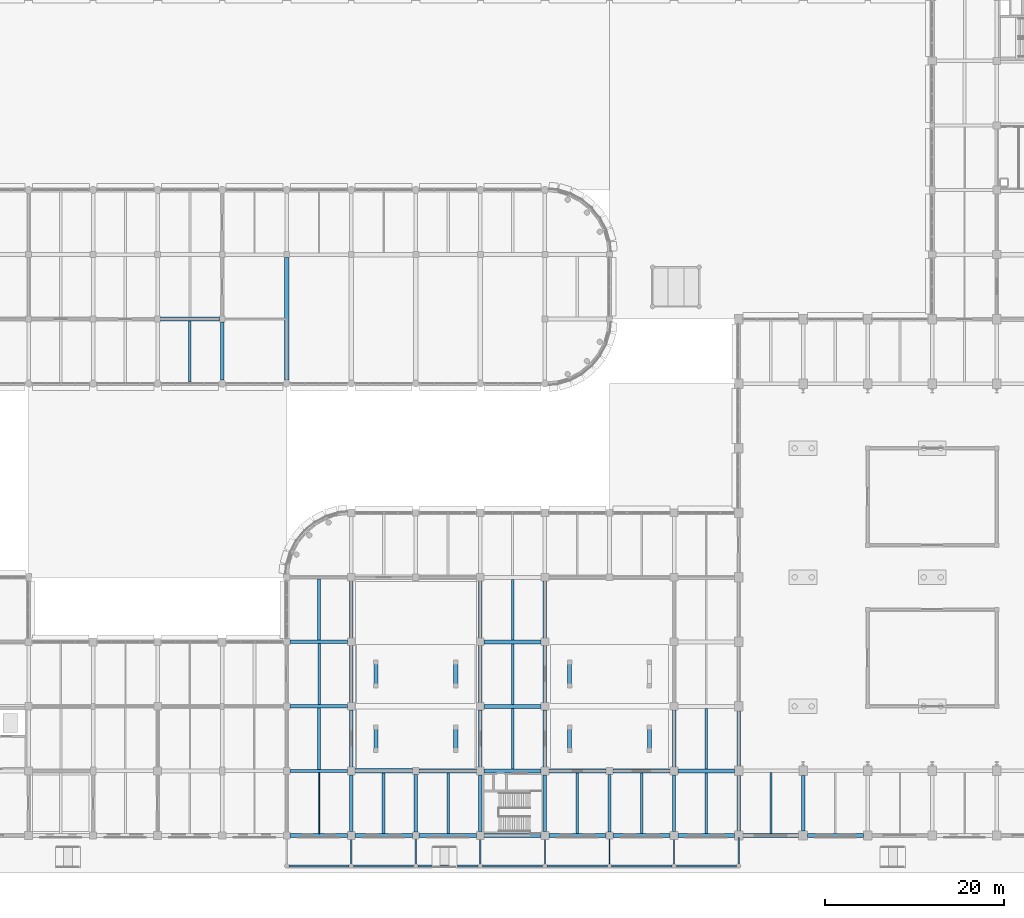
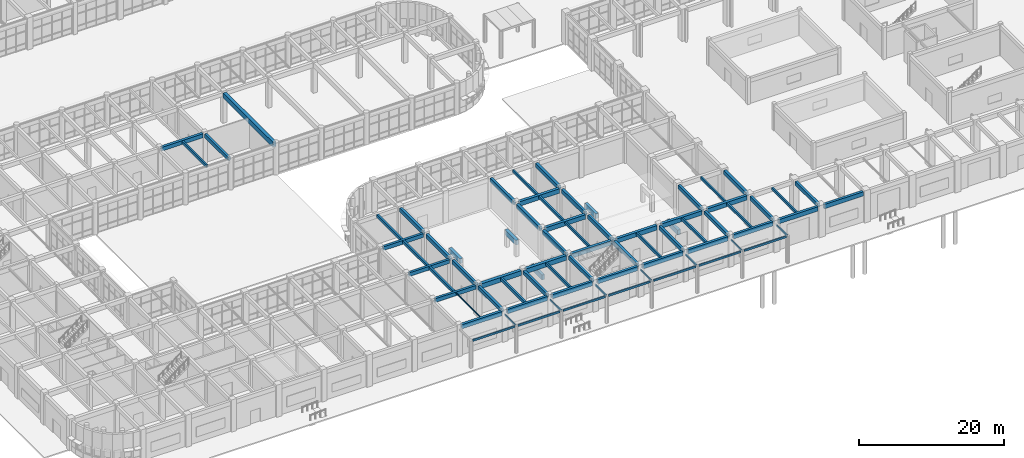
# One storey, part 28 of 160: 78 beams.
"""IFC4 building model written with IfcOpenShell, lengths in metres."""

from ifc_helpers import new_model, si_unit, direction, frame, origin, origin_2d, place, context, subcontext, project, spatial, rectangle, hollow_rectangle, i_section, extrude, material, material_profile, profile_set, type_object, element, save


model = new_model("IFC4")

# Units and contexts
model_context = context("Model", 3, precision=1e-05, world=origin(), true_north=direction((0.0, 1.0)))
body_context = subcontext(model_context, "Body", "Model", "MODEL_VIEW")
ifc_project = project(units=[si_unit("LENGTHUNIT", "METRE"), si_unit("AREAUNIT", "SQUARE_METRE"), si_unit("VOLUMEUNIT", "CUBIC_METRE"), si_unit("PLANEANGLEUNIT", "RADIAN"), si_unit("MASSUNIT", "GRAM", prefix="KILO")], contexts=[model_context])

# Site, building, storey
site_placement = place(None, origin())
site = spatial("IfcSite", under=ifc_project, at=site_placement, CompositionType="ELEMENT")
building_placement = place(site_placement, origin())
building = spatial("IfcBuilding", under=site, at=building_placement, Name="Thalmaran Polytechnic", CompositionType="ELEMENT")
storey_placement = place(building_placement, origin())
storey = spatial("IfcBuildingStorey", under=building, at=storey_placement, Name="L00", CompositionType="ELEMENT", Elevation=0.0)

# Beams
ifc_material_1 = material(Name="Steel S355", Category="steel")
ifc_material_profile_1 = material_profile(ifc_material_1, hollow_rectangle(XDim=0.199951171875, YDim=0.300048828125, WallThickness=0.012451171875, at=origin_2d()), Name="RHS 300x200x12.5")
ifc_profile_set_1 = profile_set([ifc_material_profile_1], Name="Steel S355")
beam_type_1 = type_object("IfcBeamType", Name="BM-CN01", PredefinedType="BEAM", material=ifc_profile_set_1)
for number, where, z_axis, x_axis, name in (
    (1, (57.85009765625, -3.39990234375, 4.449951171875), (1.0, 0.0, 0.0), (0.0, 1.0, 0.0), "South Arcade Edge Beam S0"),
    (2, (65.050048828125, -3.39990234375, 4.449951171875), (1.0, 0.0, 0.0), (0.0, 1.0, 0.0), "South Arcade Edge Beam S1"),
    (3, (72.25, -3.39990234375, 4.449951171875), (1.0, 0.0, 0.0), (0.0, 1.0, 0.0), "South Arcade Edge Beam S2"),
    (4, (79.449951171875, -3.39990234375, 4.449951171875), (1.0, 0.0, 0.0), (0.0, 1.0, 0.0), "South Arcade Edge Beam S3"),
):
    element("IfcBeam", number, at=place(storey_placement, frame(where, z_axis=z_axis, x_axis=x_axis)), inside=storey, type_object=beam_type_1, Name=name, PredefinedType="BEAM", context=body_context, shape_type="SweptSolid", body=[
        extrude(hollow_rectangle(XDim=0.199951171875, YDim=0.300048828125, WallThickness=0.012451171875, at=origin_2d()), origin(), (0.0, 0.0, 1.0), 6.699951171875),
    ])
beam_1_placement = place(storey_placement, frame((86.64990234375, -3.39990234375, 4.449951171875), z_axis=(1.0, 0.0, 0.0), x_axis=(0.0, 1.0, 0.0)))
element("IfcBeam", 5, at=beam_1_placement, inside=storey, type_object=beam_type_1, Name="South Arcade Edge Beam S4", PredefinedType="BEAM", context=body_context, shape_type="SweptSolid", body=[
    extrude(hollow_rectangle(XDim=0.199951171875, YDim=0.300048828125, WallThickness=0.012451171875, at=origin_2d()), origin(), (0.0, 0.0, 1.0), 6.7001953125),
])
for number, where, z_axis, x_axis, name in (
    (6, (93.85009765625, -3.39990234375, 4.449951171875), (1.0, 0.0, 0.0), (0.0, 1.0, 0.0), "South Arcade Edge Beam S5"),
    (7, (101.050048828125, -3.39990234375, 4.449951171875), (1.0, 0.0, 0.0), (0.0, 1.0, 0.0), "South Arcade Edge Beam S6"),
):
    element("IfcBeam", number, at=place(storey_placement, frame(where, z_axis=z_axis, x_axis=x_axis)), inside=storey, type_object=beam_type_1, Name=name, PredefinedType="BEAM", context=body_context, shape_type="SweptSolid", body=[
        extrude(hollow_rectangle(XDim=0.199951171875, YDim=0.300048828125, WallThickness=0.012451171875, at=origin_2d()), origin(), (0.0, 0.0, 1.0), 6.699951171875),
    ])
ifc_material_profile_2 = material_profile(ifc_material_1, hollow_rectangle(XDim=0.14990234375, YDim=0.25, WallThickness=0.010009765625, at=origin_2d()), Name="RHS 250x150x10.0")
ifc_profile_set_2 = profile_set([ifc_material_profile_2], Name="Steel S355")
beam_type_2 = type_object("IfcBeamType", Name="BM-CN02", PredefinedType="BEAM", material=ifc_profile_set_2)
for number, where, z_axis, x_axis, name in (
    (8, (64.800048828125, -3.39990234375, 4.47509765625), (0.0, 1.0, 0.0), (-1.0, 0.0, 0.0), "South Arcade Tie Beam S1"),
    (9, (72.0, -3.39990234375, 4.47509765625), (0.0, 1.0, 0.0), (-1.0, 0.0, 0.0), "South Arcade Tie Beam S2"),
    (10, (79.199951171875, -3.39990234375, 4.47509765625), (0.0, 1.0, 0.0), (-1.0, 0.0, 0.0), "South Arcade Tie Beam S3"),
    (11, (86.39990234375, -3.39990234375, 4.47509765625), (0.0, 1.0, 0.0), (-1.0, 0.0, 0.0), "South Arcade Tie Beam S4"),
    (12, (93.60009765625, -3.39990234375, 4.47509765625), (0.0, 1.0, 0.0), (-1.0, 0.0, 0.0), "South Arcade Tie Beam S5"),
    (13, (100.800048828125, -3.39990234375, 4.47509765625), (0.0, 1.0, 0.0), (-1.0, 0.0, 0.0), "South Arcade Tie Beam S6"),
    (14, (108.0, -3.39990234375, 4.47509765625), (0.0, 1.0, 0.0), (-1.0, 0.0, 0.0), "South Arcade Tie Beam S7"),
):
    element("IfcBeam", number, at=place(storey_placement, frame(where, z_axis=z_axis, x_axis=x_axis)), inside=storey, type_object=beam_type_2, Name=name, PredefinedType="BEAM", context=body_context, shape_type="SweptSolid", body=[
        extrude(hollow_rectangle(XDim=0.14990234375, YDim=0.25, WallThickness=0.010009765625, at=origin_2d()), origin(), (0.0, 0.0, 1.0), 3.199951171875),
    ])
ifc_material_2 = material(Name="Concrete C40/50", Category="concrete")
ifc_material_profile_3 = material_profile(ifc_material_2, rectangle(XDim=0.5, YDim=0.85009765625, at=origin_2d()), Name="RC 500x850")
ifc_profile_set_3 = profile_set([ifc_material_profile_3], Name="Concrete C40/50")
beam_type_3 = type_object("IfcBeamType", Name="BM-RC01", PredefinedType="BEAM", material=ifc_profile_set_3)
beam_2_placement = place(storey_placement, frame((57.60009765625, 50.800048828125, 4.6650390625), z_axis=(0.0, 1.0, 0.0), x_axis=(-1.0, 0.0, 0.0)))
element("IfcBeam", 15, at=beam_2_placement, inside=storey, type_object=beam_type_3, Name="Refectory Clear-Span Girder G08", PredefinedType="BEAM", context=body_context, shape_type="SweptSolid", body=[
    extrude(rectangle(XDim=0.5, YDim=0.85009765625, at=origin_2d()), origin(), (0.0, 0.0, 1.0), 13.675048828125),
])
ifc_material_profile_4 = material_profile(ifc_material_2, rectangle(XDim=0.5, YDim=0.800048828125, at=origin_2d()), Name="RC 500x800")
ifc_profile_set_4 = profile_set([ifc_material_profile_4], Name="Concrete C40/50")
beam_type_4 = type_object("IfcBeamType", Name="BM-RC02", PredefinedType="BEAM", material=ifc_profile_set_4)
beam_3_placement = place(storey_placement, frame((65.22509765625, 7.199951171875, 4.68994140625), z_axis=(1.0, 0.0, 0.0), x_axis=(0.0, 1.0, 0.0)))
element("IfcBeam", 16, at=beam_3_placement, inside=storey, type_object=beam_type_4, Name="Grid Beam B02 L00 X(9,1)", PredefinedType="BEAM", context=body_context, shape_type="SweptSolid", body=[
    extrude(rectangle(XDim=0.5, YDim=0.800048828125, at=origin_2d()), origin(), (0.0, 0.0, 1.0), 6.39990234375),
])
ifc_material_profile_5 = material_profile(ifc_material_2, rectangle(XDim=0.449951171875, YDim=0.75, at=origin_2d()), Name="RC 450x750")
ifc_profile_set_5 = profile_set([ifc_material_profile_5], Name="Concrete C40/50")
beam_type_5 = type_object("IfcBeamType", Name="BM-RC03", PredefinedType="BEAM", material=ifc_profile_set_5)
for number, where, z_axis, x_axis, name in (
    (17, (79.625, 7.199951171875, 4.715087890625), (1.0, 0.0, 0.0), (0.0, 1.0, 0.0), "Grid Beam B03 L00 X(11,1)"),
    (18, (79.625, 14.39990234375, 4.715087890625), (1.0, 0.0, 0.0), (0.0, 1.0, 0.0), "Grid Beam B03 L00 X(11,2)"),
    (19, (79.625, 21.60009765625, 4.715087890625), (1.0, 0.0, 0.0), (0.0, 1.0, 0.0), "Grid Beam B03 L00 X(11,3)"),
):
    element("IfcBeam", number, at=place(storey_placement, frame(where, z_axis=z_axis, x_axis=x_axis)), inside=storey, type_object=beam_type_5, Name=name, PredefinedType="BEAM", context=body_context, shape_type="SweptSolid", body=[
        extrude(rectangle(XDim=0.449951171875, YDim=0.75, at=origin_2d()), origin(), (0.0, 0.0, 1.0), 6.35009765625),
    ])
ifc_material_profile_6 = material_profile(ifc_material_2, rectangle(XDim=0.449951171875, YDim=0.72509765625, at=origin_2d()), Name="RC 450x725")
ifc_profile_set_6 = profile_set([ifc_material_profile_6], Name="Concrete C40/50")
beam_type_6 = type_object("IfcBeamType", Name="BM-RC04", PredefinedType="BEAM", material=ifc_profile_set_6)
beam_4_placement = place(storey_placement, frame((93.97509765625, 7.199951171875, 4.7275390625), z_axis=(1.0, 0.0, 0.0), x_axis=(0.0, 1.0, 0.0)))
element("IfcBeam", 20, at=beam_4_placement, inside=storey, type_object=beam_type_6, Name="Grid Beam B04 L00 X(13,1)", PredefinedType="BEAM", context=body_context, shape_type="SweptSolid", body=[
    extrude(rectangle(XDim=0.449951171875, YDim=0.72509765625, at=origin_2d()), origin(), (0.0, 0.0, 1.0), 6.39990234375),
])
ifc_material_profile_7 = material_profile(ifc_material_2, rectangle(XDim=0.389892578125, YDim=0.68505859375, at=origin_2d()), Name="RC 390x685")
ifc_profile_set_7 = profile_set([ifc_material_profile_7], Name="Concrete C40/50")
beam_type_7 = type_object("IfcBeamType", Name="BM-RC08", PredefinedType="BEAM", material=ifc_profile_set_7)
for number, where, z_axis, x_axis, name in (
    (21, (64.800048828125, 7.625, 4.74755859375), (0.0, 1.0, 0.0), (-1.0, 0.0, 0.0), "Grid Beam B08 L00 Y(9,1)"),
    (22, (79.199951171875, 7.625, 4.74755859375), (0.0, 1.0, 0.0), (-1.0, 0.0, 0.0), "Grid Beam B08 L00 Y(11,1)"),
    (23, (86.39990234375, 7.625, 4.74755859375), (0.0, 1.0, 0.0), (-1.0, 0.0, 0.0), "Grid Beam B08 L00 Y(12,1)"),
    (24, (100.800048828125, 7.625, 4.74755859375), (0.0, 1.0, 0.0), (-1.0, 0.0, 0.0), "Grid Beam B08 L00 Y(14,1)"),
):
    element("IfcBeam", number, at=place(storey_placement, frame(where, z_axis=z_axis, x_axis=x_axis)), inside=storey, type_object=beam_type_7, Name=name, PredefinedType="BEAM", context=body_context, shape_type="SweptSolid", body=[
        extrude(rectangle(XDim=0.389892578125, YDim=0.68505859375, at=origin_2d()), origin(), (0.0, 0.0, 1.0), 6.35009765625),
    ])
beam_5_placement = place(storey_placement, frame((108.0, 7.72509765625, 4.74755859375), z_axis=(0.0, 1.0, 0.0), x_axis=(-1.0, 0.0, 0.0)))
element("IfcBeam", 25, at=beam_5_placement, inside=storey, type_object=beam_type_7, Name="Grid Beam B08 L00 Y(15,1)", PredefinedType="BEAM", context=body_context, shape_type="SweptSolid", body=[
    extrude(rectangle(XDim=0.389892578125, YDim=0.68505859375, at=origin_2d()), origin(), (0.0, 0.0, 1.0), 6.14990234375),
])
ifc_material_profile_8 = material_profile(ifc_material_2, rectangle(XDim=0.389892578125, YDim=0.68994140625, at=origin_2d()), Name="RC 390x690")
ifc_profile_set_8 = profile_set([ifc_material_profile_8], Name="Concrete C40/50")
beam_type_8 = type_object("IfcBeamType", Name="BM-RC09", PredefinedType="BEAM", material=ifc_profile_set_8)
for number, where, z_axis, x_axis, name in (
    (26, (64.800048828125, 22.02490234375, 4.7451171875), (0.0, 1.0, 0.0), (-1.0, 0.0, 0.0), "Grid Beam B09 L00 Y(9,3)"),
    (27, (79.199951171875, 22.02490234375, 4.7451171875), (0.0, 1.0, 0.0), (-1.0, 0.0, 0.0), "Grid Beam B09 L00 Y(11,3)"),
    (28, (86.39990234375, 22.02490234375, 4.7451171875), (0.0, 1.0, 0.0), (-1.0, 0.0, 0.0), "Grid Beam B09 L00 Y(12,3)"),
):
    element("IfcBeam", number, at=place(storey_placement, frame(where, z_axis=z_axis, x_axis=x_axis)), inside=storey, type_object=beam_type_8, Name=name, PredefinedType="BEAM", context=body_context, shape_type="SweptSolid", body=[
        extrude(rectangle(XDim=0.389892578125, YDim=0.68994140625, at=origin_2d()), origin(), (0.0, 0.0, 1.0), 6.35009765625),
    ])
ifc_material_profile_9 = material_profile(ifc_material_2, rectangle(XDim=0.300048828125, YDim=0.5, at=origin_2d()), Name="RC 300x500")
ifc_profile_set_9 = profile_set([ifc_material_profile_9], Name="Concrete C40/50")
beam_type_9 = type_object("IfcBeamType", Name="BM-RC11", PredefinedType="JOIST", material=ifc_profile_set_9)
beam_6_placement = place(storey_placement, frame((61.199951171875, 7.389892578125, 4.840087890625), z_axis=(0.0, 1.0, 0.0), x_axis=(-1.0, 0.0, 0.0)))
element("IfcBeam", 29, at=beam_6_placement, inside=storey, type_object=beam_type_9, Name="Secondary Floor Rib RB01 L00 (8,1)", PredefinedType="JOIST", context=body_context, shape_type="SweptSolid", body=[
    extrude(rectangle(XDim=0.300048828125, YDim=0.5, at=origin_2d()), origin(), (0.0, 0.0, 1.0), 6.820068359375),
])
beam_7_placement = place(storey_placement, frame((68.39990234375, 0.199951171875, 4.840087890625), z_axis=(0.0, 1.0, 0.0), x_axis=(-1.0, 0.0, 0.0)))
element("IfcBeam", 30, at=beam_7_placement, inside=storey, type_object=beam_type_9, Name="Secondary Floor Rib RB01 L00 (9,0)", PredefinedType="JOIST", context=body_context, shape_type="SweptSolid", body=[
    extrude(rectangle(XDim=0.300048828125, YDim=0.5, at=origin_2d()), origin(), (0.0, 0.0, 1.0), 6.75),
])
ifc_material_profile_10 = material_profile(ifc_material_2, rectangle(XDim=0.300048828125, YDim=0.449951171875, at=origin_2d()), Name="RC 300x450")
ifc_profile_set_10 = profile_set([ifc_material_profile_10], Name="Concrete C40/50")
beam_type_10 = type_object("IfcBeamType", Name="BM-RC12", PredefinedType="JOIST", material=ifc_profile_set_10)
beam_8_placement = place(storey_placement, frame((61.199951171875, 21.7900390625, 4.864990234375), z_axis=(0.0, 1.0, 0.0), x_axis=(-1.0, 0.0, 0.0)))
element("IfcBeam", 31, at=beam_8_placement, inside=storey, type_object=beam_type_10, Name="Secondary Floor Rib RB02 L00 (8,3)", PredefinedType="JOIST", context=body_context, shape_type="SweptSolid", body=[
    extrude(rectangle(XDim=0.300048828125, YDim=0.449951171875, at=origin_2d()), origin(), (0.0, 0.0, 1.0), 6.820068359375),
])
ifc_material_profile_11 = material_profile(ifc_material_2, rectangle(XDim=0.280029296875, YDim=0.449951171875, at=origin_2d()), Name="RC 280x450")
ifc_profile_set_11 = profile_set([ifc_material_profile_11], Name="Concrete C40/50")
beam_type_11 = type_object("IfcBeamType", Name="BM-RC13", PredefinedType="JOIST", material=ifc_profile_set_11)
beam_9_placement = place(storey_placement, frame((46.800048828125, 50.60009765625, 4.864990234375), z_axis=(0.0, 1.0, 0.0), x_axis=(-1.0, 0.0, 0.0)))
element("IfcBeam", 32, at=beam_9_placement, inside=storey, type_object=beam_type_11, Name="Secondary Floor Rib RB03 L00 (6,7)", PredefinedType="JOIST", context=body_context, shape_type="SweptSolid", body=[
    extrude(rectangle(XDim=0.280029296875, YDim=0.449951171875, at=origin_2d()), origin(), (0.0, 0.0, 1.0), 6.789794921875),
])
beam_10_placement = place(storey_placement, frame((82.800048828125, 14.625, 4.864990234375), z_axis=(0.0, 1.0, 0.0), x_axis=(-1.0, 0.0, 0.0)))
element("IfcBeam", 33, at=beam_10_placement, inside=storey, type_object=beam_type_11, Name="Secondary Floor Rib RB03 L00 (11,2)", PredefinedType="JOIST", context=body_context, shape_type="SweptSolid", body=[
    extrude(rectangle(XDim=0.280029296875, YDim=0.449951171875, at=origin_2d()), origin(), (0.0, 0.0, 1.0), 6.75),
])
beam_11_placement = place(storey_placement, frame((97.199951171875, 0.199951171875, 4.864990234375), z_axis=(0.0, 1.0, 0.0), x_axis=(-1.0, 0.0, 0.0)))
element("IfcBeam", 34, at=beam_11_placement, inside=storey, type_object=beam_type_11, Name="Secondary Floor Rib RB03 L00 (13,0)", PredefinedType="JOIST", context=body_context, shape_type="SweptSolid", body=[
    extrude(rectangle(XDim=0.280029296875, YDim=0.449951171875, at=origin_2d()), origin(), (0.0, 0.0, 1.0), 6.775146484375),
])
ifc_material_profile_12 = material_profile(ifc_material_2, rectangle(XDim=0.449951171875, YDim=0.820068359375, at=origin_2d()), Name="RC 450x820")
ifc_profile_set_12 = profile_set([ifc_material_profile_12], Name="Concrete C40/50")
beam_type_12 = type_object("IfcBeamType", Name="BM-RK01", PredefinedType="BEAM", material=ifc_profile_set_12)
for number, where, z_axis, x_axis, name in (
    (35, (67.550048828125, 9.300048828125, 0.860107421875), (0.0, 1.0, 0.0), (-1.0, 0.0, 0.0), "Lecture Raker Girder 1-1"),
    (36, (76.449951171875, 9.300048828125, 0.860107421875), (0.0, 1.0, 0.0), (-1.0, 0.0, 0.0), "Lecture Raker Girder 1-1"),
    (37, (67.550048828125, 16.5, 2.360107421875), (0.0, 1.0, 0.0), (-1.0, 0.0, 0.0), "Lecture Raker Girder 1-2"),
    (38, (76.449951171875, 16.5, 2.360107421875), (0.0, 1.0, 0.0), (-1.0, 0.0, 0.0), "Lecture Raker Girder 1-2"),
    (39, (89.14990234375, 9.300048828125, 0.860107421875), (0.0, 1.0, 0.0), (-1.0, 0.0, 0.0), "Lecture Raker Girder 2-1"),
    (40, (98.050048828125, 9.300048828125, 0.860107421875), (0.0, 1.0, 0.0), (-1.0, 0.0, 0.0), "Lecture Raker Girder 2-1"),
    (41, (89.14990234375, 16.5, 2.360107421875), (0.0, 1.0, 0.0), (-1.0, 0.0, 0.0), "Lecture Raker Girder 2-2"),
):
    element("IfcBeam", number, at=place(storey_placement, frame(where, z_axis=z_axis, x_axis=x_axis)), inside=storey, type_object=beam_type_12, Name=name, PredefinedType="BEAM", context=body_context, shape_type="SweptSolid", body=[
        extrude(rectangle(XDim=0.449951171875, YDim=0.820068359375, at=origin_2d()), origin(), (0.0, 0.0, 1.0), 3.0),
    ])
ifc_material_profile_13 = material_profile(ifc_material_1, i_section(OverallWidth=0.110107421875, OverallDepth=0.219970703125, WebThickness=0.005859375, FlangeThickness=0.00927734375, at=origin_2d()), Name="IPE 220")
ifc_profile_set_13 = profile_set([ifc_material_profile_13], Name="Steel S355")
beam_type_13 = type_object("IfcBeamType", Name="BM-SJ04", PredefinedType="JOIST", material=ifc_profile_set_13)
beam_12_placement = place(storey_placement, frame((61.199951171875, 0.199951171875, 4.97998046875), z_axis=(0.0, 1.0, 0.0), x_axis=(-1.0, 0.0, 0.0)))
element("IfcBeam", 42, at=beam_12_placement, inside=storey, type_object=beam_type_13, Name="Secondary Floor Rib SJ04 L00 (8,0)", PredefinedType="JOIST", context=body_context, shape_type="SweptSolid", body=[
    extrude(i_section(OverallWidth=0.110107421875, OverallDepth=0.219970703125, WebThickness=0.005859375, FlangeThickness=0.00927734375, at=origin_2d()), origin(), (0.0, 0.0, 1.0), 6.81005859375),
])
ifc_material_profile_14 = material_profile(ifc_material_2, rectangle(XDim=0.39990234375, YDim=0.719970703125, at=origin_2d()), Name="RC 400x720")
ifc_profile_set_14 = profile_set([ifc_material_profile_14], Name="Concrete C40/50")
beam_type_14 = type_object("IfcBeamType", Name="BM-SP01", PredefinedType="SPANDREL", material=ifc_profile_set_14)
for number, where, z_axis, x_axis, name in (
    (43, (57.97509765625, 0.0, 4.72998046875), (1.0, 0.0, 0.0), (0.0, 1.0, 0.0), "Grid Beam SP01 L00 X(8,0)"),
    (44, (65.22509765625, 0.0, 4.72998046875), (1.0, 0.0, 0.0), (0.0, 1.0, 0.0), "Grid Beam SP01 L00 X(9,0)"),
    (45, (72.375, 0.0, 4.72998046875), (1.0, 0.0, 0.0), (0.0, 1.0, 0.0), "Grid Beam SP01 L00 X(10,0)"),
):
    element("IfcBeam", number, at=place(storey_placement, frame(where, z_axis=z_axis, x_axis=x_axis)), inside=storey, type_object=beam_type_14, Name=name, PredefinedType="SPANDREL", context=body_context, shape_type="SweptSolid", body=[
        extrude(rectangle(XDim=0.39990234375, YDim=0.719970703125, at=origin_2d()), origin(), (0.0, 0.0, 1.0), 6.39990234375),
    ])
beam_13_placement = place(storey_placement, frame((79.625, 0.0, 4.72998046875), z_axis=(1.0, 0.0, 0.0), x_axis=(0.0, 1.0, 0.0)))
element("IfcBeam", 46, at=beam_13_placement, inside=storey, type_object=beam_type_14, Name="Grid Beam SP01 L00 X(11,0)", PredefinedType="SPANDREL", context=body_context, shape_type="SweptSolid", body=[
    extrude(rectangle(XDim=0.39990234375, YDim=0.719970703125, at=origin_2d()), origin(), (0.0, 0.0, 1.0), 6.35009765625),
])
beam_14_placement = place(storey_placement, frame((86.824951171875, 0.0, 4.72998046875), z_axis=(1.0, 0.0, 0.0), x_axis=(0.0, 1.0, 0.0)))
element("IfcBeam", 47, at=beam_14_placement, inside=storey, type_object=beam_type_14, Name="Grid Beam SP01 L00 X(12,0)", PredefinedType="SPANDREL", context=body_context, shape_type="SweptSolid", body=[
    extrude(rectangle(XDim=0.39990234375, YDim=0.719970703125, at=origin_2d()), origin(), (0.0, 0.0, 1.0), 6.400146484375),
])
beam_15_placement = place(storey_placement, frame((93.97509765625, 0.0, 4.72998046875), z_axis=(1.0, 0.0, 0.0), x_axis=(0.0, 1.0, 0.0)))
element("IfcBeam", 48, at=beam_15_placement, inside=storey, type_object=beam_type_14, Name="Grid Beam SP01 L00 X(13,0)", PredefinedType="SPANDREL", context=body_context, shape_type="SweptSolid", body=[
    extrude(rectangle(XDim=0.39990234375, YDim=0.719970703125, at=origin_2d()), origin(), (0.0, 0.0, 1.0), 6.39990234375),
])
beam_16_placement = place(storey_placement, frame((101.22509765625, 0.0, 4.72998046875), z_axis=(1.0, 0.0, 0.0), x_axis=(0.0, 1.0, 0.0)))
element("IfcBeam", 49, at=beam_16_placement, inside=storey, type_object=beam_type_14, Name="Grid Beam SP01 L00 X(14,0)", PredefinedType="SPANDREL", context=body_context, shape_type="SweptSolid", body=[
    extrude(rectangle(XDim=0.39990234375, YDim=0.719970703125, at=origin_2d()), origin(), (0.0, 0.0, 1.0), 6.2998046875),
])
beam_17_placement = place(storey_placement, frame((108.47509765625, 0.0, 4.72998046875), z_axis=(1.0, 0.0, 0.0), x_axis=(0.0, 1.0, 0.0)))
element("IfcBeam", 50, at=beam_17_placement, inside=storey, type_object=beam_type_14, Name="Grid Beam SP01 L00 X(15,0)", PredefinedType="SPANDREL", context=body_context, shape_type="SweptSolid", body=[
    extrude(rectangle(XDim=0.39990234375, YDim=0.719970703125, at=origin_2d()), origin(), (0.0, 0.0, 1.0), 6.224853515625),
])
beam_18_placement = place(storey_placement, frame((115.699951171875, 0.0, 4.72998046875), z_axis=(1.0, 0.0, 0.0), x_axis=(0.0, 1.0, 0.0)))
element("IfcBeam", 51, at=beam_18_placement, inside=storey, type_object=beam_type_14, Name="Grid Beam SP01 L00 X(16,0)", PredefinedType="SPANDREL", context=body_context, shape_type="SweptSolid", body=[
    extrude(rectangle(XDim=0.39990234375, YDim=0.719970703125, at=origin_2d()), origin(), (0.0, 0.0, 1.0), 6.22509765625),
])
ifc_material_profile_15 = material_profile(ifc_material_2, rectangle(XDim=0.47998046875, YDim=0.780029296875, at=origin_2d()), Name="RC 480x780")
ifc_profile_set_15 = profile_set([ifc_material_profile_15], Name="Concrete C40/50")
beam_type_15 = type_object("IfcBeamType", Name="BM-ZB01", PredefinedType="BEAM", material=ifc_profile_set_15)
beam_19_placement = place(storey_placement, frame((72.375, 7.199951171875, 4.699951171875), z_axis=(1.0, 0.0, 0.0), x_axis=(0.0, 1.0, 0.0)))
element("IfcBeam", 52, at=beam_19_placement, inside=storey, type_object=beam_type_15, Name="Grid Beam ZB01 L00 X(10,1)", PredefinedType="BEAM", context=body_context, shape_type="SweptSolid", body=[
    extrude(rectangle(XDim=0.47998046875, YDim=0.780029296875, at=origin_2d()), origin(), (0.0, 0.0, 1.0), 6.39990234375),
])
ifc_material_profile_16 = material_profile(ifc_material_2, rectangle(XDim=0.4599609375, YDim=0.739990234375, at=origin_2d()), Name="RC 460x740")
ifc_profile_set_16 = profile_set([ifc_material_profile_16], Name="Concrete C40/50")
beam_type_16 = type_object("IfcBeamType", Name="BM-ZB02", PredefinedType="BEAM", material=ifc_profile_set_16)
beam_20_placement = place(storey_placement, frame((86.824951171875, 7.199951171875, 4.719970703125), z_axis=(1.0, 0.0, 0.0), x_axis=(0.0, 1.0, 0.0)))
element("IfcBeam", 53, at=beam_20_placement, inside=storey, type_object=beam_type_16, Name="Grid Beam ZB02 L00 X(12,1)", PredefinedType="BEAM", context=body_context, shape_type="SweptSolid", body=[
    extrude(rectangle(XDim=0.4599609375, YDim=0.739990234375, at=origin_2d()), origin(), (0.0, 0.0, 1.0), 6.400146484375),
])
ifc_material_profile_17 = material_profile(ifc_material_2, rectangle(XDim=0.43994140625, YDim=0.719970703125, at=origin_2d()), Name="RC 440x720")
ifc_profile_set_17 = profile_set([ifc_material_profile_17], Name="Concrete C40/50")
beam_type_17 = type_object("IfcBeamType", Name="BM-ZB03", PredefinedType="BEAM", material=ifc_profile_set_17)
beam_21_placement = place(storey_placement, frame((101.22509765625, 7.199951171875, 4.72998046875), z_axis=(1.0, 0.0, 0.0), x_axis=(0.0, 1.0, 0.0)))
element("IfcBeam", 54, at=beam_21_placement, inside=storey, type_object=beam_type_17, Name="Grid Beam ZB03 L00 X(14,1)", PredefinedType="BEAM", context=body_context, shape_type="SweptSolid", body=[
    extrude(rectangle(XDim=0.43994140625, YDim=0.719970703125, at=origin_2d()), origin(), (0.0, 0.0, 1.0), 6.2998046875),
])
ifc_material_profile_18 = material_profile(ifc_material_2, rectangle(XDim=0.419921875, YDim=0.659912109375, at=origin_2d()), Name="RC 420x660")
ifc_profile_set_18 = profile_set([ifc_material_profile_18], Name="Concrete C40/50")
beam_type_18 = type_object("IfcBeamType", Name="BM-ZB04", PredefinedType="BEAM", material=ifc_profile_set_18)
beam_22_placement = place(storey_placement, frame((43.52490234375, 57.60009765625, 4.760009765625), z_axis=(1.0, 0.0, 0.0), x_axis=(0.0, 1.0, 0.0)))
element("IfcBeam", 55, at=beam_22_placement, inside=storey, type_object=beam_type_18, Name="Grid Beam ZB04 L00 X(6,8)", PredefinedType="BEAM", context=body_context, shape_type="SweptSolid", body=[
    extrude(rectangle(XDim=0.419921875, YDim=0.659912109375, at=origin_2d()), origin(), (0.0, 0.0, 1.0), 6.550048828125),
])
ifc_material_profile_19 = material_profile(ifc_material_2, rectangle(XDim=0.3798828125, YDim=0.639892578125, at=origin_2d()), Name="RC 380x640")
ifc_profile_set_19 = profile_set([ifc_material_profile_19], Name="Concrete C40/50")
beam_type_19 = type_object("IfcBeamType", Name="BM-ZB05", PredefinedType="BEAM", material=ifc_profile_set_19)
for number, where, z_axis, x_axis, name in (
    (56, (57.97509765625, 7.199951171875, 4.77001953125), (1.0, 0.0, 0.0), (0.0, 1.0, 0.0), "Grid Beam ZB05 L00 X(8,1)"),
    (57, (57.97509765625, 14.39990234375, 4.77001953125), (1.0, 0.0, 0.0), (0.0, 1.0, 0.0), "Grid Beam ZB05 L00 X(8,2)"),
    (58, (57.97509765625, 21.60009765625, 4.77001953125), (1.0, 0.0, 0.0), (0.0, 1.0, 0.0), "Grid Beam ZB05 L00 X(8,3)"),
):
    element("IfcBeam", number, at=place(storey_placement, frame(where, z_axis=z_axis, x_axis=x_axis)), inside=storey, type_object=beam_type_19, Name=name, PredefinedType="BEAM", context=body_context, shape_type="SweptSolid", body=[
        extrude(rectangle(XDim=0.3798828125, YDim=0.639892578125, at=origin_2d()), origin(), (0.0, 0.0, 1.0), 6.39990234375),
    ])
ifc_material_profile_20 = material_profile(ifc_material_2, rectangle(XDim=0.3798828125, YDim=0.635009765625, at=origin_2d()), Name="RC 380x635")
ifc_profile_set_20 = profile_set([ifc_material_profile_20], Name="Concrete C40/50")
beam_type_20 = type_object("IfcBeamType", Name="BM-ZB06", PredefinedType="BEAM", material=ifc_profile_set_20)
beam_23_placement = place(storey_placement, frame((50.39990234375, 50.800048828125, 4.7724609375), z_axis=(0.0, 1.0, 0.0), x_axis=(-1.0, 0.0, 0.0)))
element("IfcBeam", 59, at=beam_23_placement, inside=storey, type_object=beam_type_20, Name="Grid Beam ZB06 L00 Y(7,7)", PredefinedType="BEAM", context=body_context, shape_type="SweptSolid", body=[
    extrude(rectangle(XDim=0.3798828125, YDim=0.635009765625, at=origin_2d()), origin(), (0.0, 0.0, 1.0), 6.474853515625),
])
beam_24_placement = place(storey_placement, frame((64.800048828125, 0.425048828125, 4.7724609375), z_axis=(0.0, 1.0, 0.0), x_axis=(-1.0, 0.0, 0.0)))
element("IfcBeam", 60, at=beam_24_placement, inside=storey, type_object=beam_type_20, Name="Grid Beam ZB06 L00 Y(9,0)", PredefinedType="BEAM", context=body_context, shape_type="SweptSolid", body=[
    extrude(rectangle(XDim=0.3798828125, YDim=0.635009765625, at=origin_2d()), origin(), (0.0, 0.0, 1.0), 6.349853515625),
])
beam_25_placement = place(storey_placement, frame((72.0, 0.375, 4.7724609375), z_axis=(0.0, 1.0, 0.0), x_axis=(-1.0, 0.0, 0.0)))
element("IfcBeam", 61, at=beam_25_placement, inside=storey, type_object=beam_type_20, Name="Grid Beam ZB06 L00 Y(10,0)", PredefinedType="BEAM", context=body_context, shape_type="SweptSolid", body=[
    extrude(rectangle(XDim=0.3798828125, YDim=0.635009765625, at=origin_2d()), origin(), (0.0, 0.0, 1.0), 6.449951171875),
])
for number, where, z_axis, x_axis, name in (
    (62, (79.199951171875, 0.425048828125, 4.7724609375), (0.0, 1.0, 0.0), (-1.0, 0.0, 0.0), "Grid Beam ZB06 L00 Y(11,0)"),
    (63, (86.39990234375, 0.425048828125, 4.7724609375), (0.0, 1.0, 0.0), (-1.0, 0.0, 0.0), "Grid Beam ZB06 L00 Y(12,0)"),
):
    element("IfcBeam", number, at=place(storey_placement, frame(where, z_axis=z_axis, x_axis=x_axis)), inside=storey, type_object=beam_type_20, Name=name, PredefinedType="BEAM", context=body_context, shape_type="SweptSolid", body=[
        extrude(rectangle(XDim=0.3798828125, YDim=0.635009765625, at=origin_2d()), origin(), (0.0, 0.0, 1.0), 6.349853515625),
    ])
beam_26_placement = place(storey_placement, frame((93.60009765625, 0.375, 4.7724609375), z_axis=(0.0, 1.0, 0.0), x_axis=(-1.0, 0.0, 0.0)))
element("IfcBeam", 64, at=beam_26_placement, inside=storey, type_object=beam_type_20, Name="Grid Beam ZB06 L00 Y(13,0)", PredefinedType="BEAM", context=body_context, shape_type="SweptSolid", body=[
    extrude(rectangle(XDim=0.3798828125, YDim=0.635009765625, at=origin_2d()), origin(), (0.0, 0.0, 1.0), 6.449951171875),
])
beam_27_placement = place(storey_placement, frame((100.800048828125, 0.425048828125, 4.7724609375), z_axis=(0.0, 1.0, 0.0), x_axis=(-1.0, 0.0, 0.0)))
element("IfcBeam", 65, at=beam_27_placement, inside=storey, type_object=beam_type_20, Name="Grid Beam ZB06 L00 Y(14,0)", PredefinedType="BEAM", context=body_context, shape_type="SweptSolid", body=[
    extrude(rectangle(XDim=0.3798828125, YDim=0.635009765625, at=origin_2d()), origin(), (0.0, 0.0, 1.0), 6.349853515625),
])
beam_28_placement = place(storey_placement, frame((108.0, 0.52490234375, 4.7724609375), z_axis=(0.0, 1.0, 0.0), x_axis=(-1.0, 0.0, 0.0)))
element("IfcBeam", 66, at=beam_28_placement, inside=storey, type_object=beam_type_20, Name="Grid Beam ZB06 L00 Y(15,0)", PredefinedType="BEAM", context=body_context, shape_type="SweptSolid", body=[
    extrude(rectangle(XDim=0.3798828125, YDim=0.635009765625, at=origin_2d()), origin(), (0.0, 0.0, 1.0), 6.150146484375),
])
beam_29_placement = place(storey_placement, frame((115.199951171875, 0.5, 4.7724609375), z_axis=(0.0, 1.0, 0.0), x_axis=(-1.0, 0.0, 0.0)))
element("IfcBeam", 67, at=beam_29_placement, inside=storey, type_object=beam_type_20, Name="Grid Beam ZB06 L00 Y(16,0)", PredefinedType="BEAM", context=body_context, shape_type="SweptSolid", body=[
    extrude(rectangle(XDim=0.3798828125, YDim=0.635009765625, at=origin_2d()), origin(), (0.0, 0.0, 1.0), 6.175048828125),
])
ifc_material_profile_21 = material_profile(ifc_material_2, rectangle(XDim=0.39990234375, YDim=0.68505859375, at=origin_2d()), Name="RC 400x685")
ifc_profile_set_21 = profile_set([ifc_material_profile_21], Name="Concrete C40/50")
beam_type_21 = type_object("IfcBeamType", Name="BM-ZB07", PredefinedType="BEAM", material=ifc_profile_set_21)
for number, where, z_axis, x_axis, name in (
    (68, (64.800048828125, 14.824951171875, 4.74755859375), (0.0, 1.0, 0.0), (-1.0, 0.0, 0.0), "Grid Beam ZB07 L00 Y(9,2)"),
    (69, (79.199951171875, 14.824951171875, 4.74755859375), (0.0, 1.0, 0.0), (-1.0, 0.0, 0.0), "Grid Beam ZB07 L00 Y(11,2)"),
    (70, (86.39990234375, 14.824951171875, 4.74755859375), (0.0, 1.0, 0.0), (-1.0, 0.0, 0.0), "Grid Beam ZB07 L00 Y(12,2)"),
):
    element("IfcBeam", number, at=place(storey_placement, frame(where, z_axis=z_axis, x_axis=x_axis)), inside=storey, type_object=beam_type_21, Name=name, PredefinedType="BEAM", context=body_context, shape_type="SweptSolid", body=[
        extrude(rectangle(XDim=0.39990234375, YDim=0.68505859375, at=origin_2d()), origin(), (0.0, 0.0, 1.0), 6.35009765625),
    ])
ifc_material_profile_22 = material_profile(ifc_material_2, rectangle(XDim=0.280029296875, YDim=0.47998046875, at=origin_2d()), Name="RC 280x480")
ifc_profile_set_22 = profile_set([ifc_material_profile_22], Name="Concrete C40/50")
beam_type_22 = type_object("IfcBeamType", Name="BM-ZJ01", PredefinedType="JOIST", material=ifc_profile_set_22)
beam_30_placement = place(storey_placement, frame((61.199951171875, 14.590087890625, 4.85009765625), z_axis=(0.0, 1.0, 0.0), x_axis=(-1.0, 0.0, 0.0)))
element("IfcBeam", 71, at=beam_30_placement, inside=storey, type_object=beam_type_22, Name="Secondary Floor Rib ZJ01 L00 (8,2)", PredefinedType="JOIST", context=body_context, shape_type="SweptSolid", body=[
    extrude(rectangle(XDim=0.280029296875, YDim=0.47998046875, at=origin_2d()), origin(), (0.0, 0.0, 1.0), 6.81982421875),
])
beam_31_placement = place(storey_placement, frame((75.60009765625, 0.199951171875, 4.85009765625), z_axis=(0.0, 1.0, 0.0), x_axis=(-1.0, 0.0, 0.0)))
element("IfcBeam", 72, at=beam_31_placement, inside=storey, type_object=beam_type_22, Name="Secondary Floor Rib ZJ01 L00 (10,0)", PredefinedType="JOIST", context=body_context, shape_type="SweptSolid", body=[
    extrude(rectangle(XDim=0.280029296875, YDim=0.47998046875, at=origin_2d()), origin(), (0.0, 0.0, 1.0), 6.760009765625),
])
ifc_material_profile_23 = material_profile(ifc_material_2, rectangle(XDim=0.260009765625, YDim=0.43994140625, at=origin_2d()), Name="RC 260x440")
ifc_profile_set_23 = profile_set([ifc_material_profile_23], Name="Concrete C40/50")
beam_type_23 = type_object("IfcBeamType", Name="BM-ZJ02", PredefinedType="JOIST", material=ifc_profile_set_23)
beam_32_placement = place(storey_placement, frame((82.800048828125, 7.425048828125, 4.8701171875), z_axis=(0.0, 1.0, 0.0), x_axis=(-1.0, 0.0, 0.0)))
element("IfcBeam", 73, at=beam_32_placement, inside=storey, type_object=beam_type_23, Name="Secondary Floor Rib ZJ02 L00 (11,1)", PredefinedType="JOIST", context=body_context, shape_type="SweptSolid", body=[
    extrude(rectangle(XDim=0.260009765625, YDim=0.43994140625, at=origin_2d()), origin(), (0.0, 0.0, 1.0), 6.75),
])
beam_33_placement = place(storey_placement, frame((90.0, 0.199951171875, 4.8701171875), z_axis=(0.0, 1.0, 0.0), x_axis=(-1.0, 0.0, 0.0)))
element("IfcBeam", 74, at=beam_33_placement, inside=storey, type_object=beam_type_23, Name="Secondary Floor Rib ZJ02 L00 (12,0)", PredefinedType="JOIST", context=body_context, shape_type="SweptSolid", body=[
    extrude(rectangle(XDim=0.260009765625, YDim=0.43994140625, at=origin_2d()), origin(), (0.0, 0.0, 1.0), 6.77001953125),
])
ifc_material_profile_24 = material_profile(ifc_material_2, rectangle(XDim=0.25, YDim=0.419921875, at=origin_2d()), Name="RC 250x420")
ifc_profile_set_24 = profile_set([ifc_material_profile_24], Name="Concrete C40/50")
beam_type_24 = type_object("IfcBeamType", Name="BM-ZJ03", PredefinedType="JOIST", material=ifc_profile_set_24)
beam_34_placement = place(storey_placement, frame((82.800048828125, 21.824951171875, 4.8798828125), z_axis=(0.0, 1.0, 0.0), x_axis=(-1.0, 0.0, 0.0)))
element("IfcBeam", 75, at=beam_34_placement, inside=storey, type_object=beam_type_24, Name="Secondary Floor Rib ZJ03 L00 (11,3)", PredefinedType="JOIST", context=body_context, shape_type="SweptSolid", body=[
    extrude(rectangle(XDim=0.25, YDim=0.419921875, at=origin_2d()), origin(), (0.0, 0.0, 1.0), 6.75),
])
beam_35_placement = place(storey_placement, frame((104.39990234375, 0.199951171875, 4.8798828125), z_axis=(0.0, 1.0, 0.0), x_axis=(-1.0, 0.0, 0.0)))
element("IfcBeam", 76, at=beam_35_placement, inside=storey, type_object=beam_type_24, Name="Secondary Floor Rib ZJ03 L00 (14,0)", PredefinedType="JOIST", context=body_context, shape_type="SweptSolid", body=[
    extrude(rectangle(XDim=0.25, YDim=0.419921875, at=origin_2d()), origin(), (0.0, 0.0, 1.0), 6.780029296875),
])
ifc_material_profile_25 = material_profile(ifc_material_2, rectangle(XDim=0.239990234375, YDim=0.39990234375, at=origin_2d()), Name="RC 240x400")
ifc_profile_set_25 = profile_set([ifc_material_profile_25], Name="Concrete C40/50")
beam_type_25 = type_object("IfcBeamType", Name="BM-ZJ04", PredefinedType="JOIST", material=ifc_profile_set_25)
beam_36_placement = place(storey_placement, frame((104.39990234375, 7.419921875, 4.889892578125), z_axis=(0.0, 1.0, 0.0), x_axis=(-1.0, 0.0, 0.0)))
element("IfcBeam", 77, at=beam_36_placement, inside=storey, type_object=beam_type_25, Name="Secondary Floor Rib ZJ04 L00 (14,1)", PredefinedType="JOIST", context=body_context, shape_type="SweptSolid", body=[
    extrude(rectangle(XDim=0.239990234375, YDim=0.39990234375, at=origin_2d()), origin(), (0.0, 0.0, 1.0), 6.760009765625),
])
beam_37_placement = place(storey_placement, frame((111.60009765625, 0.199951171875, 4.889892578125), z_axis=(0.0, 1.0, 0.0), x_axis=(-1.0, 0.0, 0.0)))
element("IfcBeam", 78, at=beam_37_placement, inside=storey, type_object=beam_type_25, Name="Secondary Floor Rib ZJ04 L00 (15,0)", PredefinedType="JOIST", context=body_context, shape_type="SweptSolid", body=[
    extrude(rectangle(XDim=0.239990234375, YDim=0.39990234375, at=origin_2d()), origin(), (0.0, 0.0, 1.0), 6.800048828125),
])

save(model, "model.ifc")
